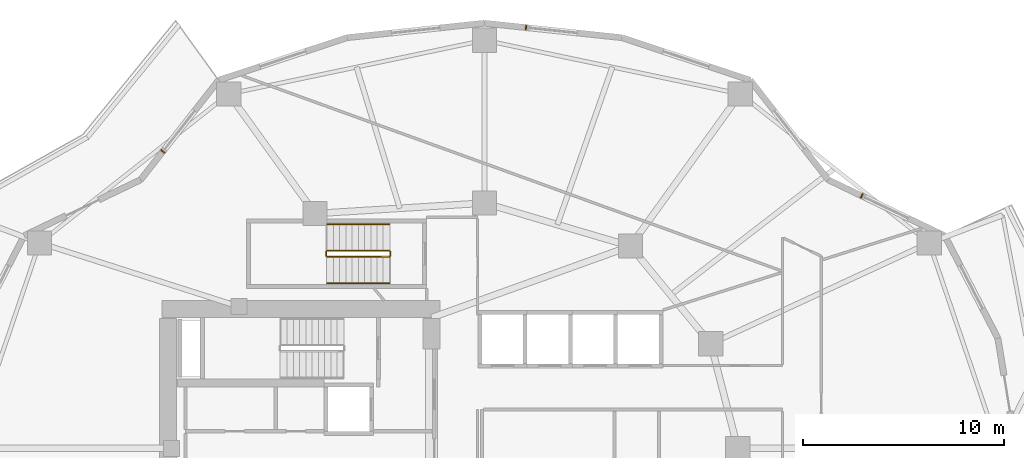
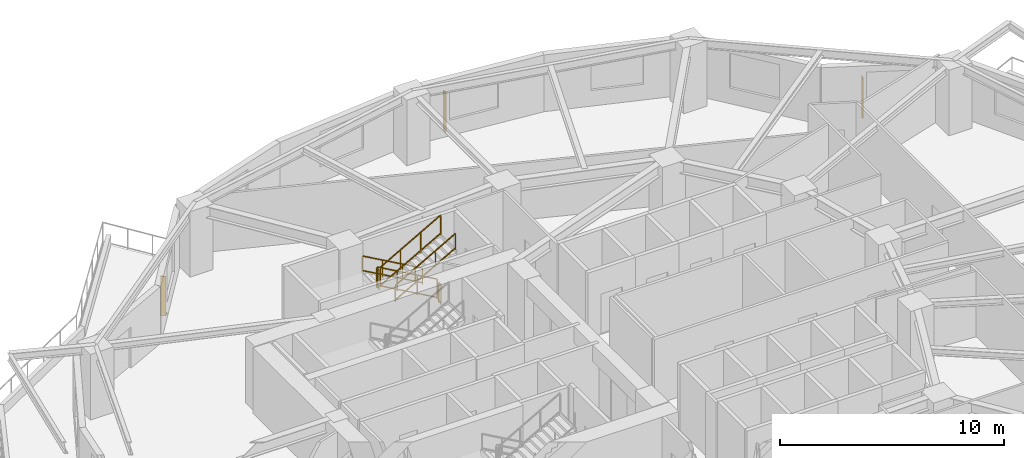
# One storey, part 11 of 11: 6 railings, 3 shading devices.
"""IFC4 building model written with IfcOpenShell, lengths in metres."""

from ifc_helpers import new_model, si_unit, direction, frame, origin, origin_2d, place, context, subcontext, project, spatial, rectangle, extrude, material, type_object, element, save


model = new_model("IFC4")

# Units and contexts
model_context = context("Model", 3, precision=1e-05, world=origin(), true_north=direction((0.0, 1.0)))
body_context = subcontext(model_context, "Body", "Model", "MODEL_VIEW")
ifc_project = project(units=[si_unit("LENGTHUNIT", "METRE"), si_unit("AREAUNIT", "SQUARE_METRE"), si_unit("VOLUMEUNIT", "CUBIC_METRE"), si_unit("PLANEANGLEUNIT", "RADIAN"), si_unit("MASSUNIT", "GRAM", prefix="KILO")], contexts=[model_context])

# Site, building, storey
site_placement = place(None, origin())
site = spatial("IfcSite", under=ifc_project, at=site_placement, CompositionType="ELEMENT")
building_placement = place(site_placement, origin())
building = spatial("IfcBuilding", under=site, at=building_placement, Name="Kolvaren Gate Tower and Convention Centre", CompositionType="ELEMENT")
storey_placement = place(building_placement, frame((0.0, 0.0, 80.39990234375)))
storey = spatial("IfcBuildingStorey", under=building, at=storey_placement, Name="L19", CompositionType="ELEMENT", Elevation=80.39990234375)

# Railings
ifc_material_1 = material(Name="Brushed Stainless Steel Grade 316L", Category="steel")
railing_type_1 = type_object("IfcRailingType", Name="ARCH-RL-GUARD-1150", PredefinedType="GUARDRAIL", material=ifc_material_1)
railing_1_placement = place(storey_placement, frame((25.39990234375, 36.830078125, 0.175048828125)))
element("IfcRailing", 1, at=railing_1_placement, inside=storey, type_object=railing_type_1, Name="L19 ST-T3 stair guard 1", PredefinedType="GUARDRAIL", context=body_context, shape_type="SweptSolid", body=[
    extrude(rectangle(XDim=0.048095703125, YDim=0.048095703125, at=origin_2d()), frame((0.0, 0.0, 1.076171875), z_axis=(-0.870814364268, 0.0, 0.491611984175), x_axis=(0.0, -1.0, 0.0)), (0.0, 0.0, 1.0), 3.559814453125),
    extrude(rectangle(XDim=0.048095703125, YDim=0.048095703125, at=origin_2d()), frame((0.0, 0.0, 0.083984375), z_axis=(-0.870814364268, 0.0, 0.491611984175), x_axis=(0.0, -1.0, 0.0)), (0.0, 0.0, 1.0), 3.559814453125),
    extrude(rectangle(XDim=0.0419921875, YDim=0.0419921875, at=origin_2d()), origin(), (0.0, 0.0, 1.0), 1.050048828125),
    extrude(rectangle(XDim=0.0419921875, YDim=0.0419921875, at=origin_2d()), frame((-3.099853515625, 0.0, 1.75)), (0.0, 0.0, 1.0), 1.050048828125),
    extrude(rectangle(XDim=0.0419921875, YDim=0.0419921875, at=origin_2d()), frame((-1.033203125, 0.0, 0.583251953125)), (0.0, 0.0, 1.0), 1.050048828125),
    extrude(rectangle(XDim=0.0419921875, YDim=0.0419921875, at=origin_2d()), frame((-2.066650390625, 0.0, 1.166748046875)), (0.0, 0.0, 1.0), 1.050048828125),
])
railing_2_placement = place(storey_placement, frame((22.25, 36.780029296875, 1.925048828125)))
element("IfcRailing", 2, at=railing_2_placement, inside=storey, type_object=railing_type_1, Name="L19 ST-T3 stair guard 2", PredefinedType="GUARDRAIL", context=body_context, shape_type="SweptSolid", body=[
    extrude(rectangle(XDim=0.048095703125, YDim=0.048095703125, at=origin_2d()), frame((0.0, 0.0, 1.076171875), z_axis=(0.0, -1.0, 0.0), x_axis=(1.0, 0.0, 0.0)), (0.0, 0.0, 1.0), 0.199951171875),
    extrude(rectangle(XDim=0.048095703125, YDim=0.048095703125, at=origin_2d()), frame((0.0, 0.0, 0.083984375), z_axis=(0.0, -1.0, 0.0), x_axis=(1.0, 0.0, 0.0)), (0.0, 0.0, 1.0), 0.199951171875),
    extrude(rectangle(XDim=0.0419921875, YDim=0.0419921875, at=origin_2d()), origin(), (0.0, 0.0, 1.0), 1.050048828125),
    extrude(rectangle(XDim=0.0419921875, YDim=0.0419921875, at=origin_2d()), frame((0.0, -0.199951171875, 0.0)), (0.0, 0.0, 1.0), 1.050048828125),
])
railing_3_placement = place(storey_placement, frame((22.300048828125, 36.530029296875, 2.10009765625)))
element("IfcRailing", 3, at=railing_3_placement, inside=storey, type_object=railing_type_1, Name="L19 ST-T3 stair guard 3", PredefinedType="GUARDRAIL", context=body_context, shape_type="SweptSolid", body=[
    extrude(rectangle(XDim=0.048095703125, YDim=0.048095703125, at=origin_2d()), frame((0.0, 0.0, 1.076171875), z_axis=(0.870814364268, 0.0, 0.491611984175), x_axis=(0.0, 1.0, 0.0)), (0.0, 0.0, 1.0), 3.559814453125),
    extrude(rectangle(XDim=0.048095703125, YDim=0.048095703125, at=origin_2d()), frame((0.0, 0.0, 0.083984375), z_axis=(0.870814364268, 0.0, 0.491611984175), x_axis=(0.0, 1.0, 0.0)), (0.0, 0.0, 1.0), 3.559814453125),
    extrude(rectangle(XDim=0.0419921875, YDim=0.0419921875, at=origin_2d()), origin(), (0.0, 0.0, 1.0), 1.050048828125),
    extrude(rectangle(XDim=0.0419921875, YDim=0.0419921875, at=origin_2d()), frame((3.099853515625, 0.0, 1.75)), (0.0, 0.0, 1.0), 1.050048828125),
    extrude(rectangle(XDim=0.0419921875, YDim=0.0419921875, at=origin_2d()), frame((1.033203125, 0.0, 0.583251953125)), (0.0, 0.0, 1.0), 1.050048828125),
    extrude(rectangle(XDim=0.0419921875, YDim=0.0419921875, at=origin_2d()), frame((2.066650390625, 0.0, 1.166748046875)), (0.0, 0.0, 1.0), 1.050048828125),
])
railing_4_placement = place(storey_placement, frame((25.449951171875, 36.780029296875, 0.0)))
element("IfcRailing", 4, at=railing_4_placement, inside=storey, type_object=railing_type_1, Name="L19 ST-T3 stair guard 4", PredefinedType="GUARDRAIL", context=body_context, shape_type="SweptSolid", body=[
    extrude(rectangle(XDim=0.048095703125, YDim=0.048095703125, at=origin_2d()), frame((0.0, 0.0, 1.076171875), z_axis=(0.0, -1.0, 0.0), x_axis=(1.0, 0.0, 0.0)), (0.0, 0.0, 1.0), 0.199951171875),
    extrude(rectangle(XDim=0.048095703125, YDim=0.048095703125, at=origin_2d()), frame((0.0, 0.0, 0.083984375), z_axis=(0.0, -1.0, 0.0), x_axis=(1.0, 0.0, 0.0)), (0.0, 0.0, 1.0), 0.199951171875),
    extrude(rectangle(XDim=0.0419921875, YDim=0.0419921875, at=origin_2d()), origin(), (0.0, 0.0, 1.0), 1.050048828125),
    extrude(rectangle(XDim=0.0419921875, YDim=0.0419921875, at=origin_2d()), frame((0.0, -0.199951171875, 0.0)), (0.0, 0.0, 1.0), 1.050048828125),
])
railing_type_2 = type_object("IfcRailingType", Name="ARCH-RL-HANDRAIL-920", PredefinedType="HANDRAIL", material=ifc_material_1)
railing_5_placement = place(storey_placement, frame((25.39990234375, 38.14990234375, 0.175048828125)))
element("IfcRailing", 5, at=railing_5_placement, inside=storey, type_object=railing_type_2, Name="L19 ST-T3 stair handrail 1", PredefinedType="HANDRAIL", context=body_context, shape_type="SweptSolid", body=[
    extrude(rectangle(XDim=0.048095703125, YDim=0.048095703125, at=origin_2d()), frame((0.0, 0.0, 0.8759765625), z_axis=(-0.870814364268, 0.0, 0.491611984175), x_axis=(0.0, -1.0, 0.0)), (0.0, 0.0, 1.0), 3.559814453125),
    extrude(rectangle(XDim=0.048095703125, YDim=0.048095703125, at=origin_2d()), frame((0.0, 0.0, 0.083984375), z_axis=(-0.870814364268, 0.0, 0.491611984175), x_axis=(0.0, -1.0, 0.0)), (0.0, 0.0, 1.0), 3.559814453125),
    extrude(rectangle(XDim=0.0419921875, YDim=0.0419921875, at=origin_2d()), origin(), (0.0, 0.0, 1.0), 0.849853515625),
    extrude(rectangle(XDim=0.0419921875, YDim=0.0419921875, at=origin_2d()), frame((-3.099853515625, 0.0, 1.75)), (0.0, 0.0, 1.0), 0.849853515625),
    extrude(rectangle(XDim=0.0419921875, YDim=0.0419921875, at=origin_2d()), frame((-1.033203125, 0.0, 0.583251953125)), (0.0, 0.0, 1.0), 0.849853515625),
    extrude(rectangle(XDim=0.0419921875, YDim=0.0419921875, at=origin_2d()), frame((-2.066650390625, 0.0, 1.166748046875)), (0.0, 0.0, 1.0), 0.849853515625),
])
railing_6_placement = place(storey_placement, frame((22.300048828125, 35.2099609375, 2.10009765625)))
element("IfcRailing", 6, at=railing_6_placement, inside=storey, type_object=railing_type_2, Name="L19 ST-T3 stair handrail 2", PredefinedType="HANDRAIL", context=body_context, shape_type="SweptSolid", body=[
    extrude(rectangle(XDim=0.048095703125, YDim=0.048095703125, at=origin_2d()), frame((0.0, 0.0, 0.8759765625), z_axis=(0.870814364268, 0.0, 0.491611984175), x_axis=(0.0, 1.0, 0.0)), (0.0, 0.0, 1.0), 3.559814453125),
    extrude(rectangle(XDim=0.048095703125, YDim=0.048095703125, at=origin_2d()), frame((0.0, 0.0, 0.083984375), z_axis=(0.870814364268, 0.0, 0.491611984175), x_axis=(0.0, 1.0, 0.0)), (0.0, 0.0, 1.0), 3.559814453125),
    extrude(rectangle(XDim=0.0419921875, YDim=0.0419921875, at=origin_2d()), origin(), (0.0, 0.0, 1.0), 0.849853515625),
    extrude(rectangle(XDim=0.0419921875, YDim=0.0419921875, at=origin_2d()), frame((3.099853515625, 0.0, 1.75)), (0.0, 0.0, 1.0), 0.849853515625),
    extrude(rectangle(XDim=0.0419921875, YDim=0.0419921875, at=origin_2d()), frame((1.033203125, 0.0, 0.583251953125)), (0.0, 0.0, 1.0), 0.849853515625),
    extrude(rectangle(XDim=0.0419921875, YDim=0.0419921875, at=origin_2d()), frame((2.066650390625, 0.0, 1.166748046875)), (0.0, 0.0, 1.0), 0.849853515625),
])

# Shading devices
ifc_material_2 = material(Name="Kiln-Fired Bogota Terracotta Ceramic Louvre Profile", Category="masonry")
shading_device_type = type_object("IfcShadingDeviceType", Name="ARCH-SHD-FIN-180", PredefinedType="JALOUSIE", material=ifc_material_2)
for number, where, z_axis, x_axis, name in (
    (7, (48.89599609375, 39.556640625, 0.22021484375), (0.0, 0.0, 1.0), (0.901357634097, -0.433075530889, 0.0), "Ceramic Vertical Brise-Soleil Fin FN-L19-02"),
    (8, (32.193603515625, 47.93212890625, 0.22021484375), (0.0, 0.0, 1.0), (0.994498884311, -0.104747167526, 0.0), "Ceramic Vertical Brise-Soleil Fin FN-L19-05"),
    (9, (14.127685546875, 41.76708984375, 0.22021484375), (0.0, 0.0, 1.0), (0.61644236478, 0.787400032325, 0.0), "Ceramic Vertical Brise-Soleil Fin FN-L19-08"),
):
    element("IfcShadingDevice", number, at=place(storey_placement, frame(where, z_axis=z_axis, x_axis=x_axis)), inside=storey, type_object=shading_device_type, Name=name, PredefinedType="JALOUSIE", context=body_context, shape_type="SweptSolid", body=[
        extrude(rectangle(XDim=0.06005859375, YDim=0.239990234375, at=origin_2d()), origin(), (0.0, 0.0, 1.0), 2.14990234375),
    ])

save(model, "model.ifc")
